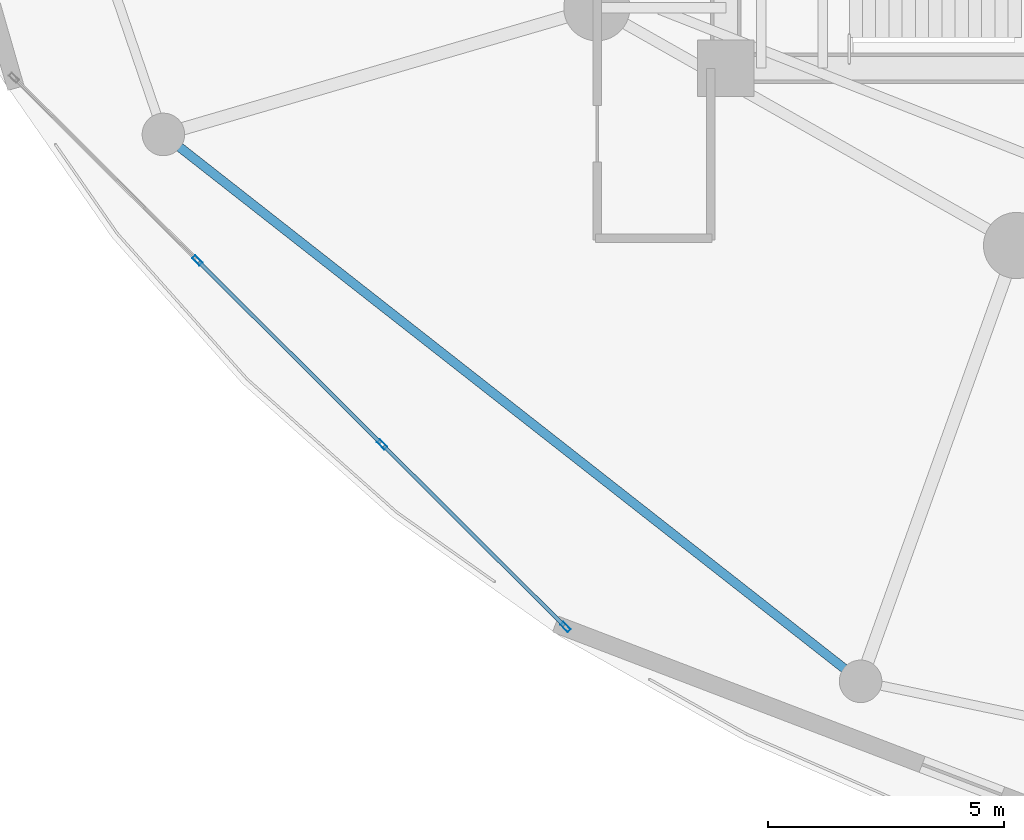
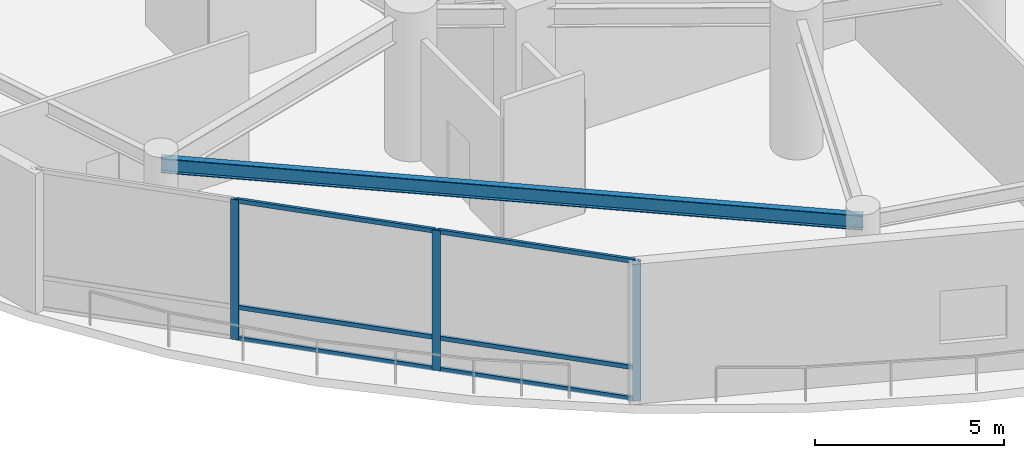
# One storey, part 2 of 40: 9 members, 1 beam, 1 element without a shape of its own.
"""IFC4 building model written with IfcOpenShell, lengths in metres."""

from ifc_helpers import new_model, si_unit, direction, frame, origin, origin_2d, place, context, subcontext, project, spatial, hollow_rectangle, i_section, extrude, material, layer, layer_set, material_profile, profile_set, type_object, element, aggregate, save


model = new_model("IFC4")

# Units and contexts
model_context = context("Model", 3, precision=1e-05, world=origin(), true_north=direction((0.0, 1.0)))
body_context = subcontext(model_context, "Body", "Model", "MODEL_VIEW")
ifc_project = project(units=[si_unit("LENGTHUNIT", "METRE"), si_unit("AREAUNIT", "SQUARE_METRE"), si_unit("VOLUMEUNIT", "CUBIC_METRE"), si_unit("PLANEANGLEUNIT", "RADIAN"), si_unit("MASSUNIT", "GRAM", prefix="KILO")], contexts=[model_context])

# Site, building, storey
site_placement = place(None, origin())
site = spatial("IfcSite", under=ifc_project, at=site_placement, CompositionType="ELEMENT")
building_placement = place(site_placement, origin())
building = spatial("IfcBuilding", under=site, at=building_placement, Name="Kazevale Care Tower and Concert Hall", CompositionType="ELEMENT")
storey_placement = place(building_placement, frame((0.0, 0.0, 9.60009765625)))
storey = spatial("IfcBuildingStorey", under=building, at=storey_placement, Name="L02", CompositionType="ELEMENT", Elevation=9.60009765625)

# Curtain wall, members
ifc_material_1 = material(Name="Aluminium 6063-T6 and Low-E Glass", Category="aluminium")
ifc_layer = layer(ifc_material_1, 0.179931640625)
ifc_layer_set = layer_set([ifc_layer], Name="Aluminium 6063-T6 and Low-E Glass")
curtain_wall_type = type_object("IfcCurtainWallType", Name="Podium Double-Skin Medical Curtain Wall CW-1", PredefinedType="NOTDEFINED", material=ifc_layer_set)
curtain_wall_placement = place(storey_placement, origin())
curtain_wall = element("IfcCurtainWall", 1, at=curtain_wall_placement, inside=storey, type_object=curtain_wall_type, Name="cw:L02:pod:09", PredefinedType="NOTDEFINED")
ifc_material_2 = material(Name="Aluminium 6063-T6", Category="aluminium")
ifc_material_profile_1 = material_profile(ifc_material_2, hollow_rectangle(XDim=0.090087890625, YDim=0.219970703125, WallThickness=0.0048828125, at=origin_2d()), Name="ALU90x220x5")
ifc_profile_set_1 = profile_set([ifc_material_profile_1], Name="Aluminium 6063-T6")
member_type_1 = type_object("IfcMemberType", Name="CW-1 Mullion ALU90x220x5", PredefinedType="MULLION", material=ifc_profile_set_1)
member_1_placement = place(storey_placement, frame((10.817626953125, 19.535400390625, 0.0), z_axis=(0.0, 0.0, 1.0), x_axis=(0.705655814257, 0.708554776856, 0.0)))
member_1 = element("IfcMember", 2, at=member_1_placement, type_object=member_type_1, Name="CW-1 mullion 2", PredefinedType="MULLION", context=body_context, shape_type="SweptSolid", body=[
    extrude(hollow_rectangle(XDim=0.090087890625, YDim=0.219970703125, WallThickness=0.0048828125, at=origin_2d()), origin(), (0.0, 0.0, 1.0), 4.52001953125),
])
member_2_placement = place(storey_placement, frame((14.728271484375, 15.640625, 0.0), z_axis=(0.0, 0.0, 1.0), x_axis=(0.705655814257, 0.708554776856, 0.0)))
member_2 = element("IfcMember", 3, at=member_2_placement, type_object=member_type_1, Name="CW-1 mullion 3", PredefinedType="MULLION", context=body_context, shape_type="SweptSolid", body=[
    extrude(hollow_rectangle(XDim=0.090087890625, YDim=0.219970703125, WallThickness=0.0048828125, at=origin_2d()), origin(), (0.0, 0.0, 1.0), 4.52001953125),
])
member_3_placement = place(storey_placement, frame((18.607177734375, 11.77783203125, 0.0), z_axis=(0.0, 0.0, 1.0), x_axis=(0.705655814257, 0.708554776856, 0.0)))
member_3 = element("IfcMember", 4, at=member_3_placement, type_object=member_type_1, Name="CW-1 mullion 4", PredefinedType="MULLION", context=body_context, shape_type="SweptSolid", body=[
    extrude(hollow_rectangle(XDim=0.090087890625, YDim=0.219970703125, WallThickness=0.0048828125, at=origin_2d()), origin(), (0.0, 0.0, 1.0), 4.52001953125),
])
ifc_material_profile_2 = material_profile(ifc_material_2, hollow_rectangle(XDim=0.080078125, YDim=0.139892578125, WallThickness=0.00390625, at=origin_2d()), Name="ALU80x140x4")
ifc_profile_set_2 = profile_set([ifc_material_profile_2], Name="Aluminium 6063-T6")
member_type_2 = type_object("IfcMemberType", Name="CW-1 Transom ALU80x140x4", PredefinedType="USERDEFINED", material=ifc_profile_set_2)
member_4_placement = place(storey_placement, frame((10.849609375, 19.503662109375, 0.039794921875), z_axis=(0.708544259539, -0.705666374624, 0.0), x_axis=(0.705666374624, 0.708544259539, 0.0)))
member_4 = element("IfcMember", 5, at=member_4_placement, type_object=member_type_2, Name="CW-1 transom 2.1", ObjectType="TRANSOM", PredefinedType="USERDEFINED", context=body_context, shape_type="SweptSolid", body=[
    extrude(hollow_rectangle(XDim=0.080078125, YDim=0.139892578125, WallThickness=0.00390625, at=origin_2d()), origin(), (0.0, 0.0, 1.0), 5.429443359375),
])
member_5_placement = place(storey_placement, frame((10.849609375, 19.503662109375, 1.0498046875), z_axis=(0.708544259539, -0.705666374624, 0.0), x_axis=(0.705666374624, 0.708544259539, 0.0)))
member_5 = element("IfcMember", 6, at=member_5_placement, type_object=member_type_2, Name="CW-1 transom 2.2", ObjectType="TRANSOM", PredefinedType="USERDEFINED", context=body_context, shape_type="SweptSolid", body=[
    extrude(hollow_rectangle(XDim=0.080078125, YDim=0.139892578125, WallThickness=0.00390625, at=origin_2d()), origin(), (0.0, 0.0, 1.0), 5.429443359375),
])
member_6_placement = place(storey_placement, frame((10.849609375, 19.503662109375, 4.47998046875), z_axis=(0.708544259539, -0.705666374624, 0.0), x_axis=(0.705666374624, 0.708544259539, 0.0)))
member_6 = element("IfcMember", 7, at=member_6_placement, type_object=member_type_2, Name="CW-1 transom 2.3", ObjectType="TRANSOM", PredefinedType="USERDEFINED", context=body_context, shape_type="SweptSolid", body=[
    extrude(hollow_rectangle(XDim=0.080078125, YDim=0.139892578125, WallThickness=0.00390625, at=origin_2d()), origin(), (0.0, 0.0, 1.0), 5.429443359375),
])
member_7_placement = place(storey_placement, frame((14.76025390625, 15.60888671875, 0.039794921875), z_axis=(0.708556322862, -0.705654261896, 0.0), x_axis=(0.705654261896, 0.708556322862, 0.0)))
member_7 = element("IfcMember", 8, at=member_7_placement, type_object=member_type_2, Name="CW-1 transom 3.1", ObjectType="TRANSOM", PredefinedType="USERDEFINED", context=body_context, shape_type="SweptSolid", body=[
    extrude(hollow_rectangle(XDim=0.080078125, YDim=0.139892578125, WallThickness=0.00390625, at=origin_2d()), origin(), (0.0, 0.0, 1.0), 5.384033203125),
])
member_8_placement = place(storey_placement, frame((14.76025390625, 15.60888671875, 1.0498046875), z_axis=(0.708556322862, -0.705654261896, 0.0), x_axis=(0.705654261896, 0.708556322862, 0.0)))
member_8 = element("IfcMember", 9, at=member_8_placement, type_object=member_type_2, Name="CW-1 transom 3.2", ObjectType="TRANSOM", PredefinedType="USERDEFINED", context=body_context, shape_type="SweptSolid", body=[
    extrude(hollow_rectangle(XDim=0.080078125, YDim=0.139892578125, WallThickness=0.00390625, at=origin_2d()), origin(), (0.0, 0.0, 1.0), 5.384033203125),
])
member_9_placement = place(storey_placement, frame((14.76025390625, 15.60888671875, 4.47998046875), z_axis=(0.708556322862, -0.705654261896, 0.0), x_axis=(0.705654261896, 0.708556322862, 0.0)))
member_9 = element("IfcMember", 10, at=member_9_placement, type_object=member_type_2, Name="CW-1 transom 3.3", ObjectType="TRANSOM", PredefinedType="USERDEFINED", context=body_context, shape_type="SweptSolid", body=[
    extrude(hollow_rectangle(XDim=0.080078125, YDim=0.139892578125, WallThickness=0.00390625, at=origin_2d()), origin(), (0.0, 0.0, 1.0), 5.384033203125),
])
aggregate(curtain_wall, [member_1, member_2, member_3, member_4, member_5, member_6, member_7, member_8, member_9])

# Beam
ifc_material_3 = material(Name="Steel ASTM A572 Gr 50", Category="steel")
ifc_material_profile_3 = material_profile(ifc_material_3, i_section(OverallWidth=0.194091796875, OverallDepth=0.468994140625, WebThickness=0.0126953125, FlangeThickness=0.0205078125, at=origin_2d()), Name="W460x106")
ifc_profile_set_3 = profile_set([ifc_material_profile_3], Name="Steel ASTM A572 Gr 50")
beam_type = type_object("IfcBeamType", Name="Podium Floor Beam W460x106", PredefinedType="BEAM", material=ifc_profile_set_3)
beam_placement = place(storey_placement, frame((10.10009765625, 22.199951171875, 4.285400390625), z_axis=(0.786816091325, -0.617187522907, 0.0), x_axis=(0.617187522907, 0.786816091325, 0.0)))
element("IfcBeam", 11, at=beam_placement, inside=storey, type_object=beam_type, Name="beam:L02:podring:08", PredefinedType="BEAM", context=body_context, shape_type="SweptSolid", body=[
    extrude(i_section(OverallWidth=0.194091796875, OverallDepth=0.468994140625, WebThickness=0.0126953125, FlangeThickness=0.0205078125, at=origin_2d()), origin(), (0.0, 0.0, 1.0), 18.746337890625),
])

save(model, "model.ifc")
